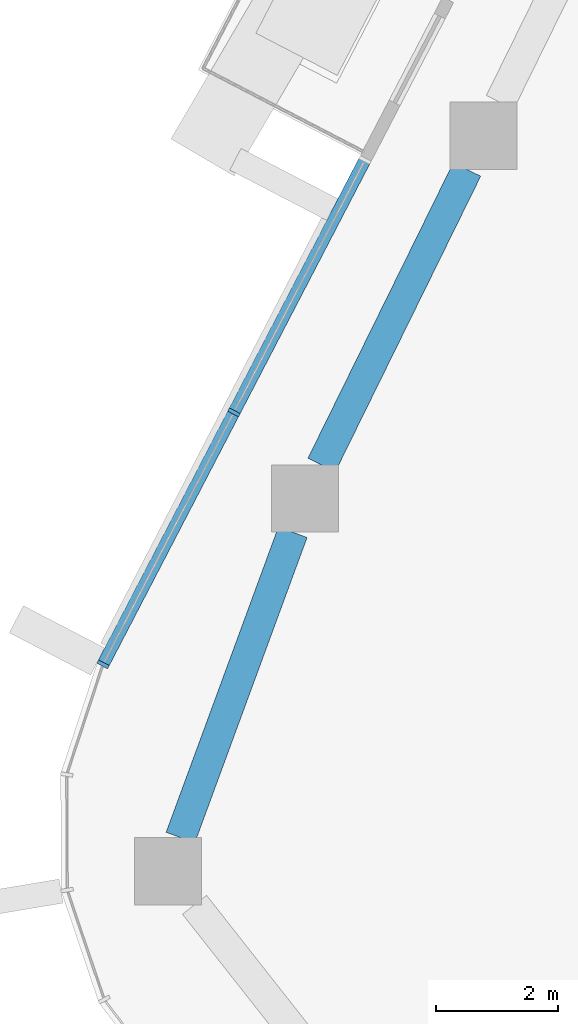
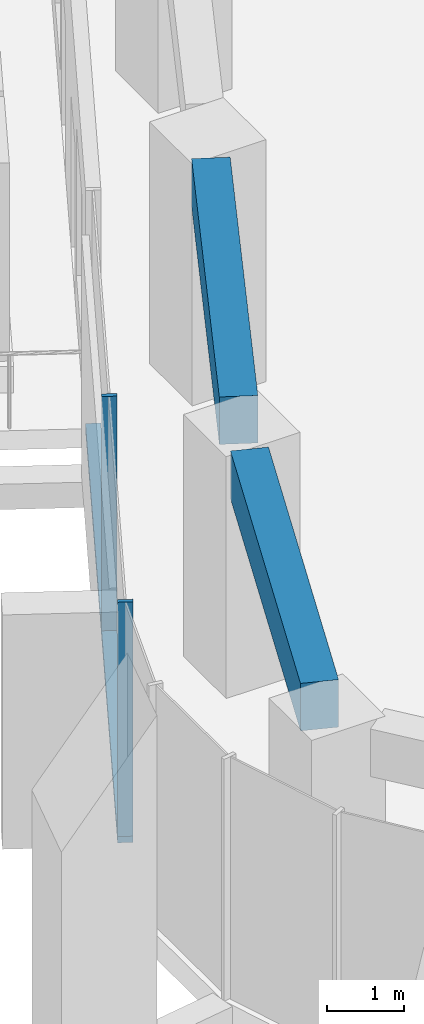
# One storey, part 3 of 20: 3 members, 2 beams, 1 element without a shape of its own.
"""IFC4 building model written with IfcOpenShell, lengths in metres."""

from ifc_helpers import new_model, si_unit, direction, frame, origin, origin_2d, place, context, subcontext, project, spatial, rectangle, extrude, material, layer, layer_set, material_profile, profile_set, type_object, element, aggregate, save


model = new_model("IFC4")

# Units and contexts
model_context = context("Model", 3, precision=1e-05, world=origin(), true_north=direction((0.0, 1.0)))
body_context = subcontext(model_context, "Body", "Model", "MODEL_VIEW")
ifc_project = project(units=[si_unit("LENGTHUNIT", "METRE"), si_unit("AREAUNIT", "SQUARE_METRE"), si_unit("VOLUMEUNIT", "CUBIC_METRE"), si_unit("PLANEANGLEUNIT", "RADIAN"), si_unit("MASSUNIT", "GRAM", prefix="KILO")], contexts=[model_context])

# Site, building, storey
site_placement = place(None, origin())
site = spatial("IfcSite", under=ifc_project, at=site_placement, CompositionType="ELEMENT")
building_placement = place(site_placement, origin())
building = spatial("IfcBuilding", under=site, at=building_placement, Name="Dongbaek Canopy Tower", CompositionType="ELEMENT")
storey_placement = place(building_placement, frame((0.0, 0.0, 266.39990234375)))
storey = spatial("IfcBuildingStorey", under=building, at=storey_placement, Name="L56", CompositionType="ELEMENT", Elevation=266.39990234375)

# Curtain wall, members
ifc_material_1 = material(Name="Aluminium 6063-T6 pale anodised", Category="aluminium")
ifc_layer = layer(ifc_material_1, 0.199951171875)
ifc_layer_set = layer_set([ifc_layer], Name="CW-1 unitised tower curtain wall")
curtain_wall_type = type_object("IfcCurtainWallType", Name="CW-1 unitised tower curtain wall", PredefinedType="NOTDEFINED", material=ifc_layer_set)
curtain_wall_placement = place(storey_placement, origin())
curtain_wall = element("IfcCurtainWall", 1, at=curtain_wall_placement, inside=storey, type_object=curtain_wall_type, Name="CW-1 curtain wall F2.1", PredefinedType="NOTDEFINED")
ifc_material_2 = material(Name="Aluminium 6063-T6 pale anodised", Category="aluminium")
ifc_material_profile_1 = material_profile(ifc_material_2, rectangle(XDim=0.199951171875, YDim=0.06005859375, at=origin_2d()), Name="CW-1 mullion 60 x 200")
ifc_profile_set_1 = profile_set([ifc_material_profile_1], Name="Aluminium 6063-T6 pale anodised")
member_type_1 = type_object("IfcMemberType", Name="CW-1 mullion 60 x 200", PredefinedType="MULLION", material=ifc_profile_set_1)
member_1_placement = place(storey_placement, frame((-26.705078125, 1.4873046875, 0.1201171875), z_axis=(0.0, 0.0, 1.0), x_axis=(-0.887462222541, 0.460880465591, 0.0)))
member_1 = element("IfcMember", 2, at=member_1_placement, type_object=member_type_1, Name="CW-1 mullion F2.1.2", PredefinedType="MULLION", context=body_context, shape_type="SweptSolid", body=[
    extrude(rectangle(XDim=0.199951171875, YDim=0.06005859375, at=origin_2d()), origin(), (0.0, 0.0, 1.0), 3.699951171875),
])
member_2_placement = place(storey_placement, frame((-28.845947265625, -2.635009765625, 0.1201171875), z_axis=(0.0, 0.0, 1.0), x_axis=(-0.887462222541, 0.460880465591, 0.0)))
member_2 = element("IfcMember", 3, at=member_2_placement, type_object=member_type_1, Name="CW-1 mullion F2.1.3", PredefinedType="MULLION", context=body_context, shape_type="SweptSolid", body=[
    extrude(rectangle(XDim=0.199951171875, YDim=0.06005859375, at=origin_2d()), origin(), (0.0, 0.0, 1.0), 3.699951171875),
])
ifc_material_3 = material(Name="Aluminium 6063-T6 pale anodised", Category="aluminium")
ifc_material_profile_2 = material_profile(ifc_material_3, rectangle(XDim=0.199951171875, YDim=0.1201171875, at=origin_2d()), Name="CW-1 transom 120 x 200")
ifc_profile_set_2 = profile_set([ifc_material_profile_2], Name="Aluminium 6063-T6 pale anodised")
member_type_2 = type_object("IfcMemberType", Name="CW-1 transom 120 x 200", PredefinedType="USERDEFINED", material=ifc_profile_set_2)
member_3_placement = place(storey_placement, frame((-24.560791015625, 5.616455078125, 0.06005859375), z_axis=(-0.460878110928, -0.88746344537, 0.0), x_axis=(0.88746344537, -0.460878110928, 0.0)))
member_3 = element("IfcMember", 4, at=member_3_placement, type_object=member_type_2, Name="CW-1 transom F2.1.1", ObjectType="TRANSOM", PredefinedType="USERDEFINED", context=body_context, shape_type="SweptSolid", body=[
    extrude(rectangle(XDim=0.199951171875, YDim=0.1201171875, at=origin_2d()), origin(), (0.0, 0.0, 1.0), 9.2978515625),
])
aggregate(curtain_wall, [member_1, member_2, member_3])

# Beams
ifc_material_4 = material(Name="Concrete C70", Category="concrete")
ifc_material_profile_3 = material_profile(ifc_material_4, rectangle(XDim=0.5, YDim=0.75, at=origin_2d()), Name="RC EDGE BEAM 500x750 C70")
ifc_profile_set_3 = profile_set([ifc_material_profile_3], Name="Concrete C70")
beam_type = type_object("IfcBeamType", Name="RC EDGE BEAM 500x750 C70", PredefinedType="BEAM", material=ifc_profile_set_3)
beam_1_placement = place(storey_placement, frame((-27.57958984375, -5.469970703125, 3.445068359375), z_axis=(0.345180317771, 0.938536386201, 0.0), x_axis=(-0.938536386201, 0.345180317771, 0.0)))
element("IfcBeam", 5, at=beam_1_placement, inside=storey, type_object=beam_type, Name="EDGEBEAM:L56:08", PredefinedType="BEAM", context=body_context, shape_type="SweptSolid", body=[
    extrude(rectangle(XDim=0.5, YDim=0.75, at=origin_2d()), origin(), (0.0, 0.0, 1.0), 5.322998046875),
])
beam_2_placement = place(storey_placement, frame((-25.26953125, 0.6259765625, 3.445068359375), z_axis=(0.44133161815, 0.897344082736, 0.0), x_axis=(-0.897344082736, 0.44133161815, 0.0)))
element("IfcBeam", 6, at=beam_2_placement, inside=storey, type_object=beam_type, Name="EDGEBEAM:L56:09", PredefinedType="BEAM", context=body_context, shape_type="SweptSolid", body=[
    extrude(rectangle(XDim=0.5, YDim=0.75, at=origin_2d()), origin(), (0.0, 0.0, 1.0), 5.38818359375),
])

save(model, "model.ifc")
